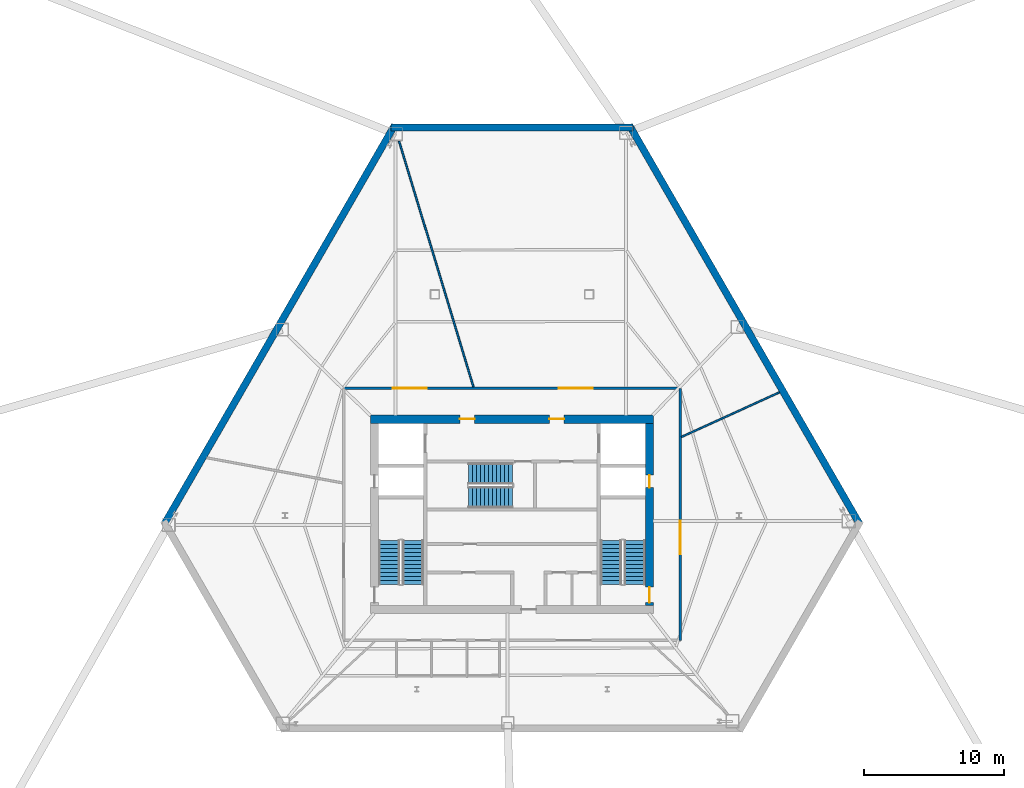
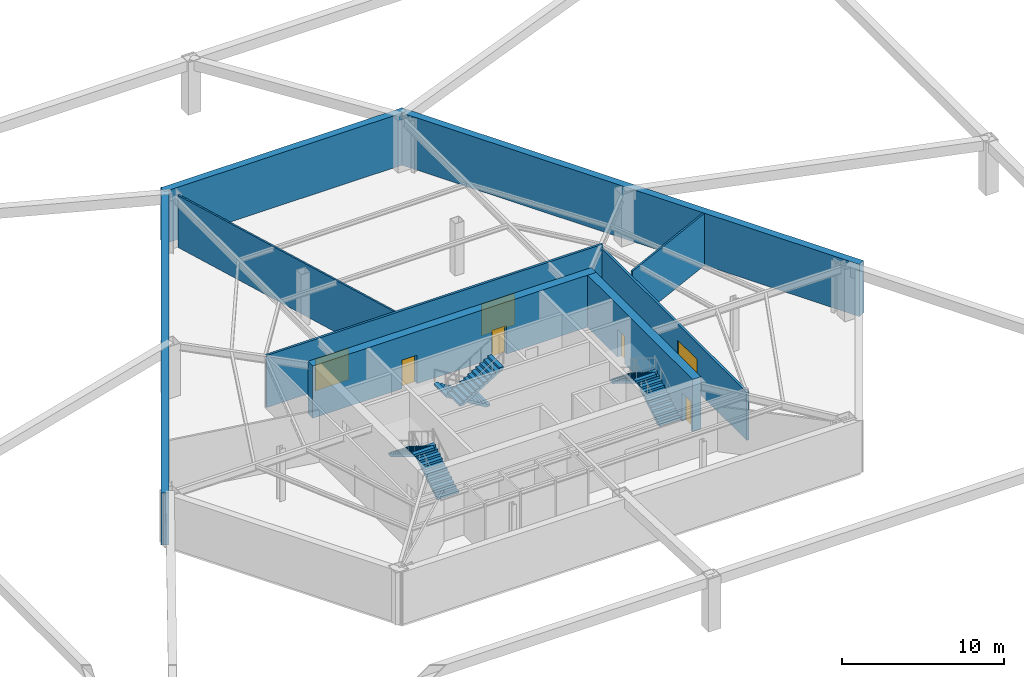
# One storey, part 7 of 8: 9 walls, 7 doors, 6 stair flights, 7 openings, 3 elements without a shape of their own.
"""IFC4 building model written with IfcOpenShell, lengths in metres."""

from ifc_helpers import new_model, si_unit, direction, frame, frame_2d, origin, place, context, subcontext, project, spatial, polyline, rectangle, outline, extrude, material, layer, layer_set, type_object, element, fill, aggregate, save


model = new_model("IFC4")

# Units and contexts
model_context = context("Model", 3, precision=1e-05, world=origin(), true_north=direction((0.0, 1.0)))
body_context = subcontext(model_context, "Body", "Model", "MODEL_VIEW")
ifc_project = project(units=[si_unit("LENGTHUNIT", "METRE"), si_unit("AREAUNIT", "SQUARE_METRE"), si_unit("VOLUMEUNIT", "CUBIC_METRE"), si_unit("PLANEANGLEUNIT", "RADIAN"), si_unit("MASSUNIT", "GRAM", prefix="KILO")], contexts=[model_context])

# Site, building, storey
site_placement = place(None, origin())
site = spatial("IfcSite", under=ifc_project, at=site_placement, CompositionType="ELEMENT")
building_placement = place(site_placement, origin())
building = spatial("IfcBuilding", under=site, at=building_placement, Name="Kavelnor Concourse Tower", CompositionType="ELEMENT")
storey_placement = place(building_placement, frame((0.0, 0.0, -4.199951171875)))
storey = spatial("IfcBuildingStorey", under=building, at=storey_placement, Name="B01", CompositionType="ELEMENT", Elevation=-4.199951171875)

# Walls
ifc_material_1 = material(Name="Concrete C50/60", Category="concrete")
ifc_layer_1 = layer(ifc_material_1, 0.5, Name="Concrete C50/60")
ifc_layer_set_1 = layer_set([ifc_layer_1], Name="Concrete C50/60")
wall_type_1 = type_object("IfcWallType", Name="WL-BSMT-RET-500", PredefinedType="SHEAR", material=ifc_layer_set_1)
wall_1_placement = place(storey_placement, frame((46.644287109375, 43.735595703125, 0.0), z_axis=(0.0, 0.0, 1.0), x_axis=(-1.0, 0.0, 0.0)))
element("IfcWall", 1, at=wall_1_placement, inside=storey, type_object=wall_type_1, Name="B01 Perimeter Retaining Wall 1 (500 mm)", PredefinedType="SHEAR", context=body_context, shape_type="SweptSolid", body=[
    extrude(rectangle(XDim=17.28857421875, YDim=0.5, at=frame_2d((8.644287109375, 0.0))), origin(), (0.0, 0.0, 1.0), 3.93994140625),
])
for number, where, z_axis, x_axis, name in (
    (2, (29.622314453125, 43.889404296875, 0.0), (0.0, 0.0, 1.0), (-0.499999749417, -0.866025548458, 0.0), "B01 Perimeter Retaining Wall 2 (500 mm)"),
    (3, (62.877685546875, 15.310546875, 0.0), (0.0, 0.0, 1.0), (-0.499999749417, 0.866025548458, 0.0), "B01 Perimeter Retaining Wall 6 (500 mm)"),
):
    element("IfcWall", number, at=place(storey_placement, frame(where, z_axis=z_axis, x_axis=x_axis)), inside=storey, type_object=wall_type_1, Name=name, PredefinedType="SHEAR", context=body_context, shape_type="SweptSolid", body=[
        extrude(rectangle(XDim=33.0, YDim=0.5, at=frame_2d((16.5, 0.0))), origin(), (0.0, 0.0, 1.0), 3.93994140625),
    ])

# Wall, openings, doors
ifc_material_2 = material(Name="Concrete C60/75", Category="concrete")
ifc_layer_2 = layer(ifc_material_2, 0.60009765625, Name="Concrete C60/75")
ifc_layer_set_2 = layer_set([ifc_layer_2], Name="Concrete C60/75")
wall_type_2 = type_object("IfcWallType", Name="WL-CORE-Z1-600", PredefinedType="SOLIDWALL", material=ifc_layer_set_2)
wall_2_placement = place(storey_placement, frame((27.8798828125, 22.89990234375, 0.0), z_axis=(0.0, 0.0, 1.0), x_axis=(1.0, 0.0, 0.0)))
wall_2 = element("IfcWall", 4, at=wall_2_placement, inside=storey, type_object=wall_type_2, Name="B01 Central Core North Shear Wall", PredefinedType="SOLIDWALL", context=body_context, shape_type="SweptSolid", body=[
    extrude(rectangle(XDim=20.240234375, YDim=0.60009765625, at=frame_2d((10.1201171875, 0.0))), origin(), (0.0, 0.0, 1.0), 3.93994140625),
])
opening_1_placement = place(wall_2_placement, frame((6.39501953125, 0.0, 0.0)))
opening_1 = element("IfcOpeningElement", 5, at=opening_1_placement, cuts=wall_2, Name="Opening FD-105", PredefinedType="OPENING", context=body_context, shape_type="SweptSolid", body=[
    extrude(rectangle(XDim=1.050048828125, YDim=2.14990234375, at=frame_2d((0.52490234375, 1.074951171875))), frame((0.0, 0.31005859375, 0.0), z_axis=(0.0, -1.0, 0.0), x_axis=(1.0, 0.0, 0.0)), (0.0, 0.0, 1.0), 0.6201171875),
])
opening_2_placement = place(wall_2_placement, frame((12.794921875, 0.0, 0.0)))
opening_2 = element("IfcOpeningElement", 6, at=opening_2_placement, cuts=wall_2, Name="Opening FD-105", PredefinedType="OPENING", context=body_context, shape_type="SweptSolid", body=[
    extrude(rectangle(XDim=1.050048828125, YDim=2.14990234375, at=frame_2d((0.52490234375, 1.074951171875))), frame((0.0, 0.31005859375, 0.0), z_axis=(0.0, -1.0, 0.0), x_axis=(1.0, 0.0, 0.0)), (0.0, 0.0, 1.0), 0.6201171875),
])
ifc_material_3 = material(Name="Steel Grade 350", Category="steel")
door_type_1 = type_object("IfcDoorType", Name="DR-LOBBY-FIRE-1050", OperationType="NOTDEFINED", PredefinedType="DOOR", material=ifc_material_3)
door_1_placement = place(opening_1_placement, origin())
door_1 = element("IfcDoor", 7, at=door_1_placement, inside=storey, type_object=door_type_1, Name="B01 Emergency Lift Lobby West Door", OperationType="SINGLE_SWING_LEFT", OverallHeight=2.14990234375, OverallWidth=1.050048828125, PredefinedType="DOOR", context=body_context, shape_type="SweptSolid", body=[
    extrude(rectangle(XDim=1.050048828125, YDim=2.14990234375, at=frame_2d((0.52490234375, 1.074951171875))), frame((0.0, 0.02490234375, 0.0), z_axis=(0.0, -1.0, 0.0), x_axis=(1.0, 0.0, 0.0)), (0.0, 0.0, 1.0), 0.050048828125),
])
fill(opening_1, door_1)
door_2_placement = place(opening_2_placement, origin())
door_2 = element("IfcDoor", 8, at=door_2_placement, inside=storey, type_object=door_type_1, Name="B01 Emergency Lift Lobby East Door", OperationType="SINGLE_SWING_RIGHT", OverallHeight=2.14990234375, OverallWidth=1.050048828125, PredefinedType="DOOR", context=body_context, shape_type="SweptSolid", body=[
    extrude(rectangle(XDim=1.050048828125, YDim=2.14990234375, at=frame_2d((0.52490234375, 1.074951171875))), frame((0.0, 0.02490234375, 0.0), z_axis=(0.0, -1.0, 0.0), x_axis=(1.0, 0.0, 0.0)), (0.0, 0.0, 1.0), 0.050048828125),
])
fill(opening_2, door_2)

wall_3_placement = place(storey_placement, frame((47.820068359375, 9.60009765625, 0.0), z_axis=(0.0, 0.0, 1.0), x_axis=(0.0, 1.0, 0.0)))
wall_3 = element("IfcWall", 9, at=wall_3_placement, inside=storey, type_object=wall_type_2, Name="B01 Central Core East Shear Wall", PredefinedType="SOLIDWALL", context=body_context, shape_type="SweptSolid", body=[
    extrude(rectangle(XDim=13.0, YDim=0.60009765625, at=frame_2d((6.5, 0.0))), origin(), (0.0, 0.0, 1.0), 3.93994140625),
])
opening_3_placement = place(wall_3_placement, frame((0.199951171875, 0.0, 0.0)))
opening_3 = element("IfcOpeningElement", 10, at=opening_3_placement, cuts=wall_3, Name="Opening FD-110", PredefinedType="OPENING", context=body_context, shape_type="SweptSolid", body=[
    extrude(rectangle(XDim=1.10009765625, YDim=2.14990234375, at=frame_2d((0.550048828125, 1.074951171875))), frame((0.0, 0.31005859375, 0.0), z_axis=(0.0, -1.0, 0.0), x_axis=(1.0, 0.0, 0.0)), (0.0, 0.0, 1.0), 0.6201171875),
])
opening_4_placement = place(wall_3_placement, frame((8.39990234375, 0.0, 0.0)))
opening_4 = element("IfcOpeningElement", 11, at=opening_4_placement, cuts=wall_3, Name="Opening FD-090", PredefinedType="OPENING", context=body_context, shape_type="SweptSolid", body=[
    extrude(rectangle(XDim=0.89990234375, YDim=2.10009765625, at=frame_2d((0.449951171875, 1.050048828125))), frame((0.0, 0.31005859375, 0.0), z_axis=(0.0, -1.0, 0.0), x_axis=(1.0, 0.0, 0.0)), (0.0, 0.0, 1.0), 0.6201171875),
])
door_type_2 = type_object("IfcDoorType", Name="DR-RISER-FIRE-900", OperationType="NOTDEFINED", PredefinedType="DOOR", material=ifc_material_3)
door_3_placement = place(opening_4_placement, origin())
door_3 = element("IfcDoor", 12, at=door_3_placement, inside=storey, type_object=door_type_2, Name="B01 East Riser Access Door", OperationType="SINGLE_SWING_LEFT", OverallHeight=2.10009765625, OverallWidth=0.89990234375, PredefinedType="DOOR", context=body_context, shape_type="SweptSolid", body=[
    extrude(rectangle(XDim=0.89990234375, YDim=2.10009765625, at=frame_2d((0.449951171875, 1.050048828125))), frame((0.0, 0.02490234375, 0.0), z_axis=(0.0, -1.0, 0.0), x_axis=(1.0, 0.0, 0.0)), (0.0, 0.0, 1.0), 0.050048828125),
])
fill(opening_4, door_3)
door_type_3 = type_object("IfcDoorType", Name="DR-STAIR-FIRE-1100", OperationType="NOTDEFINED", PredefinedType="DOOR", material=ifc_material_3)
door_4_placement = place(opening_3_placement, origin())
door_4 = element("IfcDoor", 13, at=door_4_placement, inside=storey, type_object=door_type_3, Name="B01 Stair ST2 Fire Door", OperationType="SINGLE_SWING_RIGHT", OverallHeight=2.14990234375, OverallWidth=1.10009765625, PredefinedType="DOOR", context=body_context, shape_type="SweptSolid", body=[
    extrude(rectangle(XDim=1.10009765625, YDim=2.14990234375, at=frame_2d((0.550048828125, 1.074951171875))), frame((0.0, 0.02490234375, 0.0), z_axis=(0.0, -1.0, 0.0), x_axis=(1.0, 0.0, 0.0)), (0.0, 0.0, 1.0), 0.050048828125),
])
fill(opening_3, door_4)

ifc_material_4 = material(Name="Gypsum plasterboard on light-gauge steel studs", Category="steel")
ifc_layer_3 = layer(ifc_material_4, 0.1650390625, Name="Gypsum plasterboard on light-gauge steel studs")
ifc_layer_set_3 = layer_set([ifc_layer_3], Name="Gypsum plasterboard on light-gauge steel studs")
wall_type_3 = type_object("IfcWallType", Name="WL-INT-FIRE-165", PredefinedType="PARTITIONING", material=ifc_layer_set_3)
wall_4_placement = place(storey_placement, frame((25.97998046875, 25.10009765625, 0.0), z_axis=(0.0, 0.0, 1.0), x_axis=(1.0, 0.0, 0.0)))
wall_4 = element("IfcWall", 14, at=wall_4_placement, inside=storey, type_object=wall_type_3, Name="B01 Corridor Wall WL-B01-CR-N", PredefinedType="PARTITIONING", context=body_context, shape_type="SweptSolid", body=[
    extrude(rectangle(XDim=24.0400390625, YDim=0.1650390625, at=frame_2d((12.02001953125, 0.0))), origin(), (0.0, 0.0, 1.0), 3.93994140625),
])
opening_5_placement = place(wall_4_placement, frame((15.372314453125, 0.0, 0.0)))
opening_5 = element("IfcOpeningElement", 15, at=opening_5_placement, cuts=wall_4, Name="Opening SG-240", PredefinedType="OPENING", context=body_context, shape_type="SweptSolid", body=[
    extrude(rectangle(XDim=2.39990234375, YDim=2.39990234375, at=frame_2d((1.199951171875, 1.199951171875))), frame((0.0, 0.092529296875, 0.0), z_axis=(0.0, -1.0, 0.0), x_axis=(1.0, 0.0, 0.0)), (0.0, 0.0, 1.0), 0.18505859375),
])
opening_6_placement = place(wall_4_placement, frame((3.5166015625, 0.0, 0.0)))
opening_6 = element("IfcOpeningElement", 16, at=opening_6_placement, cuts=wall_4, Name="Opening SG-240", PredefinedType="OPENING", context=body_context, shape_type="SweptSolid", body=[
    extrude(rectangle(XDim=2.39990234375, YDim=2.39990234375, at=frame_2d((1.199951171875, 1.199951171875))), frame((0.0, 0.092529296875, 0.0), z_axis=(0.0, -1.0, 0.0), x_axis=(1.0, 0.0, 0.0)), (0.0, 0.0, 1.0), 0.18505859375),
])
door_type_4 = type_object("IfcDoorType", Name="DR-SERVICE-GATE-2400", OperationType="NOTDEFINED", PredefinedType="GATE", material=ifc_material_3)
door_5_placement = place(opening_5_placement, origin())
door_5 = element("IfcDoor", 17, at=door_5_placement, inside=storey, type_object=door_type_4, Name="B01 Bicycle Hub and Cycle Store 01 Door", OperationType="DOUBLE_DOOR_SINGLE_SWING", OverallHeight=2.39990234375, OverallWidth=2.39990234375, PredefinedType="GATE", context=body_context, shape_type="SweptSolid", body=[
    extrude(rectangle(XDim=2.39990234375, YDim=2.39990234375, at=frame_2d((1.199951171875, 1.199951171875))), frame((0.0, 0.02490234375, 0.0), z_axis=(0.0, -1.0, 0.0), x_axis=(1.0, 0.0, 0.0)), (0.0, 0.0, 1.0), 0.050048828125),
])
fill(opening_5, door_5)
door_6_placement = place(opening_6_placement, origin())
door_6 = element("IfcDoor", 18, at=door_6_placement, inside=storey, type_object=door_type_4, Name="B01 End-of-Trip Locker and Changing Hall 02 Door", OperationType="DOUBLE_DOOR_SINGLE_SWING", OverallHeight=2.39990234375, OverallWidth=2.39990234375, PredefinedType="GATE", context=body_context, shape_type="SweptSolid", body=[
    extrude(rectangle(XDim=2.39990234375, YDim=2.39990234375, at=frame_2d((1.199951171875, 1.199951171875))), frame((0.0, 0.02490234375, 0.0), z_axis=(0.0, -1.0, 0.0), x_axis=(1.0, 0.0, 0.0)), (0.0, 0.0, 1.0), 0.050048828125),
])
fill(opening_6, door_6)

# Wall, opening, door
wall_5_placement = place(storey_placement, frame((50.02001953125, 7.10009765625, 0.0), z_axis=(0.0, 0.0, 1.0), x_axis=(0.0, 1.0, 0.0)))
wall_5 = element("IfcWall", 19, at=wall_5_placement, inside=storey, type_object=wall_type_3, Name="B01 Corridor Wall WL-B01-CR-E", PredefinedType="PARTITIONING", context=body_context, shape_type="SweptSolid", body=[
    extrude(rectangle(XDim=18.0, YDim=0.1650390625, at=frame_2d((9.0, 0.0))), origin(), (0.0, 0.0, 1.0), 3.6279296875),
])
opening_7_placement = place(wall_5_placement, frame((6.14404296875, 0.0, 0.0)))
opening_7 = element("IfcOpeningElement", 20, at=opening_7_placement, cuts=wall_5, Name="Opening SG-240", PredefinedType="OPENING", context=body_context, shape_type="SweptSolid", body=[
    extrude(rectangle(XDim=2.39990234375, YDim=2.39990234375, at=frame_2d((1.199951171875, 1.199951171875))), frame((0.0, 0.092529296875, 0.0), z_axis=(0.0, -1.0, 0.0), x_axis=(1.0, 0.0, 0.0)), (0.0, 0.0, 1.0), 0.18505859375),
])
door_7_placement = place(opening_7_placement, origin())
door_7 = element("IfcDoor", 21, at=door_7_placement, inside=storey, type_object=door_type_4, Name="B01 Facilities Workshop and Store 05 Door", OperationType="DOUBLE_DOOR_SINGLE_SWING", OverallHeight=2.39990234375, OverallWidth=2.39990234375, PredefinedType="GATE", context=body_context, shape_type="SweptSolid", body=[
    extrude(rectangle(XDim=2.39990234375, YDim=2.39990234375, at=frame_2d((1.199951171875, 1.199951171875))), frame((0.0, 0.02490234375, 0.0), z_axis=(0.0, -1.0, 0.0), x_axis=(1.0, 0.0, 0.0)), (0.0, 0.0, 1.0), 0.050048828125),
])
fill(opening_7, door_7)

# Walls
ifc_layer_4 = layer(ifc_material_4, 0.125, Name="Gypsum plasterboard on light-gauge steel studs")
ifc_layer_set_4 = layer_set([ifc_layer_4], Name="Gypsum plasterboard on light-gauge steel studs")
wall_type_4 = type_object("IfcWallType", Name="WL-INT-SUITE-125", PredefinedType="PARTITIONING", material=ifc_layer_set_4)
wall_6_placement = place(storey_placement, frame((50.110595703125, 21.6259765625, 0.0), z_axis=(0.0, 0.0, 1.0), x_axis=(0.909768462503, 0.415116061643, 0.0)))
element("IfcWall", 22, at=wall_6_placement, inside=storey, type_object=wall_type_4, Name="B01 Radial Suite Partition 01", PredefinedType="PARTITIONING", context=body_context, shape_type="SweptSolid", body=[
    extrude(rectangle(XDim=7.673828125, YDim=0.125, at=frame_2d((3.8369140625, 0.0))), origin(), (0.0, 0.0, 1.0), 3.93994140625),
])
wall_7_placement = place(storey_placement, frame((35.249267578125, 25.1904296875, 0.0), z_axis=(0.0, 0.0, 1.0), x_axis=(-0.289619538285, 0.957141851057, 0.0)))
element("IfcWall", 23, at=wall_7_placement, inside=storey, type_object=wall_type_4, Name="B01 Radial Suite Partition 02", PredefinedType="PARTITIONING", context=body_context, shape_type="SweptSolid", body=[
    extrude(rectangle(XDim=18.3623046875, YDim=0.125, at=frame_2d((9.18115234375, 0.0))), origin(), (0.0, 0.0, 1.0), 3.93994140625),
])

# Stair, stair flights
ifc_material_5 = material(Name="Concrete C40/50", Category="concrete")
stair_type = type_object("IfcStairType", Name="STR-CORE-1500", PredefinedType="HALF_TURN_STAIR", material=ifc_material_5)
stair_1_placement = place(storey_placement, origin())
stair_1 = element("IfcStair", 24, at=stair_1_placement, inside=storey, type_object=stair_type, Name="B01 ST1", PredefinedType="HALF_TURN_STAIR")
stair_flight_type = type_object("IfcStairFlightType", Name="STR-FLIGHT-1500", PredefinedType="STRAIGHT", material=ifc_material_5)
stair_flight_1_placement = place(storey_placement, frame((30.929931640625, 11.10009765625, 0.0), z_axis=(0.0, 0.0, 1.0), x_axis=(0.0, 1.0, 0.0)))
stair_flight_1 = element("IfcStairFlight", 25, at=stair_flight_1_placement, type_object=stair_flight_type, Name="ST1 flight 1", NumberOfRisers=12, NumberOfTreads=11, PredefinedType="STRAIGHT", RiserHeight=0.175, TreadLength=0.285, context=body_context, shape_type="SweptSolid", body=[
    extrude(outline(polyline([(0.0, 0.0), (0.0, 0.175048828125), (0.284912109375, 0.175048828125), (0.284912109375, 0.35009765625), (0.570068359375, 0.35009765625), (0.570068359375, 0.52490234375), (0.85498046875, 0.52490234375), (0.85498046875, 0.699951171875), (1.139892578125, 0.699951171875), (1.139892578125, 0.875), (1.425048828125, 0.875), (1.425048828125, 1.050048828125), (1.7099609375, 1.050048828125), (1.7099609375, 1.22509765625), (1.9951171875, 1.22509765625), (1.9951171875, 1.39990234375), (2.280029296875, 1.39990234375), (2.280029296875, 1.574951171875), (2.56494140625, 1.574951171875), (2.56494140625, 1.75), (2.85009765625, 1.75), (2.85009765625, 1.925048828125), (3.135009765625, 1.925048828125), (3.135009765625, 2.10009765625), (3.135009765625, 1.7490234375), (0.286376953125, 0.0), (0.0, 0.0)])), frame((0.0, 0.75, 0.0), z_axis=(0.0, -1.0, 0.0), x_axis=(1.0, 0.0, 0.0)), (0.0, 0.0, 1.0), 1.5),
])
stair_flight_2_placement = place(storey_placement, frame((29.22998046875, 14.235107421875, 2.099853515625), z_axis=(0.0, 0.0, 1.0), x_axis=(0.0, -1.0, 0.0)))
stair_flight_2 = element("IfcStairFlight", 26, at=stair_flight_2_placement, type_object=stair_flight_type, Name="ST1 flight 2", NumberOfRisers=12, NumberOfTreads=11, PredefinedType="STRAIGHT", RiserHeight=0.175, TreadLength=0.285, context=body_context, shape_type="SweptSolid", body=[
    extrude(outline(polyline([(0.0, 0.0), (0.0, 0.175048828125), (0.284912109375, 0.175048828125), (0.284912109375, 0.35009765625), (0.570068359375, 0.35009765625), (0.570068359375, 0.52490234375), (0.85498046875, 0.52490234375), (0.85498046875, 0.699951171875), (1.139892578125, 0.699951171875), (1.139892578125, 0.875), (1.425048828125, 0.875), (1.425048828125, 1.050048828125), (1.7099609375, 1.050048828125), (1.7099609375, 1.22509765625), (1.9951171875, 1.22509765625), (1.9951171875, 1.39990234375), (2.280029296875, 1.39990234375), (2.280029296875, 1.574951171875), (2.56494140625, 1.574951171875), (2.56494140625, 1.75), (2.85009765625, 1.75), (2.85009765625, 1.925048828125), (3.135009765625, 1.925048828125), (3.135009765625, 2.10009765625), (3.135009765625, 1.7490234375), (0.286376953125, 0.0), (0.0, 0.0)])), frame((0.0, 0.75, 0.0), z_axis=(0.0, -1.0, 0.0), x_axis=(1.0, 0.0, 0.0)), (0.0, 0.0, 1.0), 1.5),
])
aggregate(stair_1, [stair_flight_1, stair_flight_2])

stair_2_placement = place(storey_placement, origin())
stair_2 = element("IfcStair", 27, at=stair_2_placement, inside=storey, type_object=stair_type, Name="B01 ST2", PredefinedType="HALF_TURN_STAIR")
stair_flight_3_placement = place(storey_placement, frame((46.77001953125, 11.10009765625, 0.0), z_axis=(0.0, 0.0, 1.0), x_axis=(0.0, 1.0, 0.0)))
stair_flight_3 = element("IfcStairFlight", 28, at=stair_flight_3_placement, type_object=stair_flight_type, Name="ST2 flight 1", NumberOfRisers=12, NumberOfTreads=11, PredefinedType="STRAIGHT", RiserHeight=0.175, TreadLength=0.285, context=body_context, shape_type="SweptSolid", body=[
    extrude(outline(polyline([(0.0, 0.0), (0.0, 0.175048828125), (0.284912109375, 0.175048828125), (0.284912109375, 0.35009765625), (0.570068359375, 0.35009765625), (0.570068359375, 0.52490234375), (0.85498046875, 0.52490234375), (0.85498046875, 0.699951171875), (1.139892578125, 0.699951171875), (1.139892578125, 0.875), (1.425048828125, 0.875), (1.425048828125, 1.050048828125), (1.7099609375, 1.050048828125), (1.7099609375, 1.22509765625), (1.9951171875, 1.22509765625), (1.9951171875, 1.39990234375), (2.280029296875, 1.39990234375), (2.280029296875, 1.574951171875), (2.56494140625, 1.574951171875), (2.56494140625, 1.75), (2.85009765625, 1.75), (2.85009765625, 1.925048828125), (3.135009765625, 1.925048828125), (3.135009765625, 2.10009765625), (3.135009765625, 1.7490234375), (0.286376953125, 0.0), (0.0, 0.0)])), frame((0.0, 0.75, 0.0), z_axis=(0.0, -1.0, 0.0), x_axis=(1.0, 0.0, 0.0)), (0.0, 0.0, 1.0), 1.5),
])
stair_flight_4_placement = place(storey_placement, frame((45.070068359375, 14.235107421875, 2.099853515625), z_axis=(0.0, 0.0, 1.0), x_axis=(0.0, -1.0, 0.0)))
stair_flight_4 = element("IfcStairFlight", 29, at=stair_flight_4_placement, type_object=stair_flight_type, Name="ST2 flight 2", NumberOfRisers=12, NumberOfTreads=11, PredefinedType="STRAIGHT", RiserHeight=0.175, TreadLength=0.285, context=body_context, shape_type="SweptSolid", body=[
    extrude(outline(polyline([(0.0, 0.0), (0.0, 0.175048828125), (0.284912109375, 0.175048828125), (0.284912109375, 0.35009765625), (0.570068359375, 0.35009765625), (0.570068359375, 0.52490234375), (0.85498046875, 0.52490234375), (0.85498046875, 0.699951171875), (1.139892578125, 0.699951171875), (1.139892578125, 0.875), (1.425048828125, 0.875), (1.425048828125, 1.050048828125), (1.7099609375, 1.050048828125), (1.7099609375, 1.22509765625), (1.9951171875, 1.22509765625), (1.9951171875, 1.39990234375), (2.280029296875, 1.39990234375), (2.280029296875, 1.574951171875), (2.56494140625, 1.574951171875), (2.56494140625, 1.75), (2.85009765625, 1.75), (2.85009765625, 1.925048828125), (3.135009765625, 1.925048828125), (3.135009765625, 2.10009765625), (3.135009765625, 1.7490234375), (0.286376953125, 0.0), (0.0, 0.0)])), frame((0.0, 0.75, 0.0), z_axis=(0.0, -1.0, 0.0), x_axis=(1.0, 0.0, 0.0)), (0.0, 0.0, 1.0), 1.5),
])
aggregate(stair_2, [stair_flight_3, stair_flight_4])

stair_3_placement = place(storey_placement, origin())
stair_3 = element("IfcStair", 30, at=stair_3_placement, inside=storey, type_object=stair_type, Name="B01 ST3", PredefinedType="HALF_TURN_STAIR")
stair_flight_5_placement = place(storey_placement, frame((38.0400390625, 19.010009765625, 0.0), z_axis=(0.0, 0.0, 1.0), x_axis=(-1.0, 0.0, 0.0)))
stair_flight_5 = element("IfcStairFlight", 31, at=stair_flight_5_placement, type_object=stair_flight_type, Name="ST3 flight 1", NumberOfRisers=12, NumberOfTreads=11, PredefinedType="STRAIGHT", RiserHeight=0.175, TreadLength=0.285, context=body_context, shape_type="SweptSolid", body=[
    extrude(outline(polyline([(0.0, 0.0), (0.0, 0.175048828125), (0.284912109375, 0.175048828125), (0.284912109375, 0.35009765625), (0.570068359375, 0.35009765625), (0.570068359375, 0.52490234375), (0.85498046875, 0.52490234375), (0.85498046875, 0.699951171875), (1.139892578125, 0.699951171875), (1.139892578125, 0.875), (1.425048828125, 0.875), (1.425048828125, 1.050048828125), (1.7099609375, 1.050048828125), (1.7099609375, 1.22509765625), (1.9951171875, 1.22509765625), (1.9951171875, 1.39990234375), (2.280029296875, 1.39990234375), (2.280029296875, 1.574951171875), (2.56494140625, 1.574951171875), (2.56494140625, 1.75), (2.85009765625, 1.75), (2.85009765625, 1.925048828125), (3.135009765625, 1.925048828125), (3.135009765625, 2.10009765625), (3.135009765625, 1.7490234375), (0.286376953125, 0.0), (0.0, 0.0)])), frame((0.0, 0.75, 0.0), z_axis=(0.0, -1.0, 0.0), x_axis=(1.0, 0.0, 0.0)), (0.0, 0.0, 1.0), 1.5),
])
stair_flight_6_placement = place(storey_placement, frame((34.905029296875, 17.31005859375, 2.099853515625), z_axis=(0.0, 0.0, 1.0), x_axis=(1.0, 0.0, 0.0)))
stair_flight_6 = element("IfcStairFlight", 32, at=stair_flight_6_placement, type_object=stair_flight_type, Name="ST3 flight 2", NumberOfRisers=12, NumberOfTreads=11, PredefinedType="STRAIGHT", RiserHeight=0.175, TreadLength=0.285, context=body_context, shape_type="SweptSolid", body=[
    extrude(outline(polyline([(0.0, 0.0), (0.0, 0.175048828125), (0.284912109375, 0.175048828125), (0.284912109375, 0.35009765625), (0.570068359375, 0.35009765625), (0.570068359375, 0.52490234375), (0.85498046875, 0.52490234375), (0.85498046875, 0.699951171875), (1.139892578125, 0.699951171875), (1.139892578125, 0.875), (1.425048828125, 0.875), (1.425048828125, 1.050048828125), (1.7099609375, 1.050048828125), (1.7099609375, 1.22509765625), (1.9951171875, 1.22509765625), (1.9951171875, 1.39990234375), (2.280029296875, 1.39990234375), (2.280029296875, 1.574951171875), (2.56494140625, 1.574951171875), (2.56494140625, 1.75), (2.85009765625, 1.75), (2.85009765625, 1.925048828125), (3.135009765625, 1.925048828125), (3.135009765625, 2.10009765625), (3.135009765625, 1.7490234375), (0.286376953125, 0.0), (0.0, 0.0)])), frame((0.0, 0.75, 0.0), z_axis=(0.0, -1.0, 0.0), x_axis=(1.0, 0.0, 0.0)), (0.0, 0.0, 1.0), 1.5),
])
aggregate(stair_3, [stair_flight_5, stair_flight_6])

save(model, "model.ifc")
